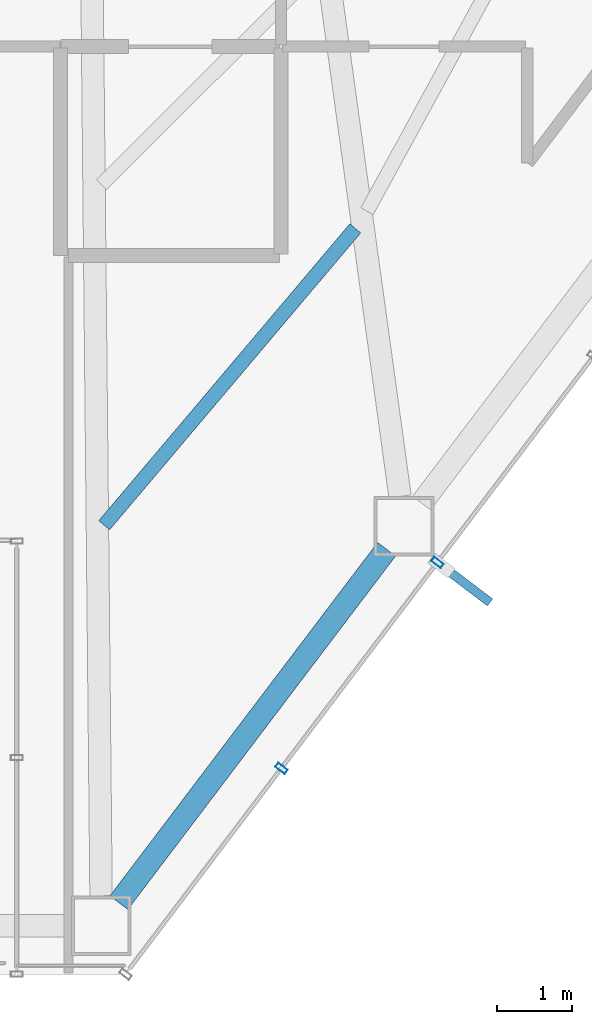
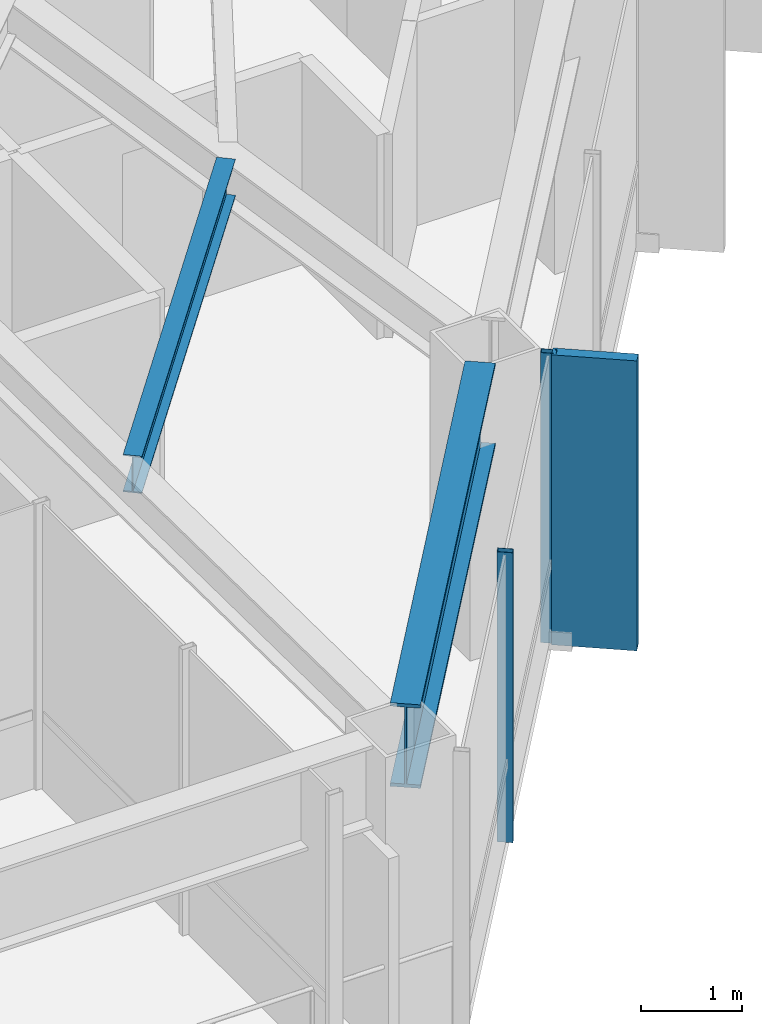
# One storey, part 16 of 28: 3 members, 2 beams, 1 element without a shape of its own.
"""IFC4 building model written with IfcOpenShell, lengths in metres."""

from ifc_helpers import new_model, si_unit, direction, frame, origin, origin_2d, place, context, subcontext, project, spatial, rectangle, hollow_rectangle, i_section, extrude, material, layer, layer_set, material_profile, profile_set, type_object, element, aggregate, save


model = new_model("IFC4")

# Units and contexts
model_context = context("Model", 3, precision=1e-05, world=origin(), true_north=direction((0.0, 1.0)))
body_context = subcontext(model_context, "Body", "Model", "MODEL_VIEW")
ifc_project = project(units=[si_unit("LENGTHUNIT", "METRE"), si_unit("AREAUNIT", "SQUARE_METRE"), si_unit("VOLUMEUNIT", "CUBIC_METRE"), si_unit("PLANEANGLEUNIT", "RADIAN"), si_unit("MASSUNIT", "GRAM", prefix="KILO")], contexts=[model_context])

# Site, building, storey
site_placement = place(None, origin())
site = spatial("IfcSite", under=ifc_project, at=site_placement, CompositionType="ELEMENT")
building_placement = place(site_placement, origin())
building = spatial("IfcBuilding", under=site, at=building_placement, Name="Zarrinselat Tower", CompositionType="ELEMENT")
storey_placement = place(building_placement, frame((0.0, 0.0, 157.080078125)))
storey = spatial("IfcBuildingStorey", under=building, at=storey_placement, Name="L38", CompositionType="ELEMENT", Elevation=157.080078125)

# Beams
ifc_material_1 = material(Name="Steel S460M", Category="steel")
ifc_material_profile_1 = material_profile(ifc_material_1, i_section(OverallWidth=0.302001953125, OverallDepth=1.008056640625, WebThickness=0.02099609375, FlangeThickness=0.0400390625, at=origin_2d()), Name="HEM 1000")
ifc_profile_set_1 = profile_set([ifc_material_profile_1], Name="Steel S460M")
beam_type_1 = type_object("IfcBeamType", Name="BM-HEM1000", PredefinedType="BEAM", material=ifc_profile_set_1)
beam_1_placement = place(storey_placement, frame((46.179931640625, 18.6826171875, 2.995849609375), z_axis=(0.603840277942, 0.79710533729, 0.0), x_axis=(-0.79710533729, 0.603840277942, 0.0)))
element("IfcBeam", 1, at=beam_1_placement, inside=storey, type_object=beam_type_1, Name="L38 Perimeter Spandrel Girder SP11", PredefinedType="BEAM", context=body_context, shape_type="SweptSolid", body=[
    extrude(i_section(OverallWidth=0.302001953125, OverallDepth=1.008056640625, WebThickness=0.02099609375, FlangeThickness=0.0400390625, at=origin_2d()), origin(), (0.0, 0.0, 1.0), 5.939697265625),
])
ifc_material_2 = material(Name="Steel S355J2", Category="steel")
ifc_material_profile_2 = material_profile(ifc_material_2, i_section(OverallWidth=0.18994140625, OverallDepth=0.449951171875, WebThickness=0.009521484375, FlangeThickness=0.0146484375, at=origin_2d()), Name="IPE 450")
ifc_profile_set_2 = profile_set([ifc_material_profile_2], Name="Steel S355J2")
beam_type_2 = type_object("IfcBeamType", Name="BM-IPE450", PredefinedType="JOIST", material=ifc_profile_set_2)
beam_2_placement = place(storey_placement, frame((45.98388671875, 23.739013671875, 3.27490234375), z_axis=(0.645797229985, 0.763508963761, 0.0), x_axis=(-0.763508963761, 0.645797229985, 0.0)))
element("IfcBeam", 2, at=beam_2_placement, inside=storey, type_object=beam_type_2, Name="L38 Composite Floor Joist 2-1", PredefinedType="JOIST", context=body_context, shape_type="SweptSolid", body=[
    extrude(i_section(OverallWidth=0.18994140625, OverallDepth=0.449951171875, WebThickness=0.009521484375, FlangeThickness=0.0146484375, at=origin_2d()), origin(), (0.0, 0.0, 1.0), 5.2080078125),
])

# Curtain wall, members
ifc_material_3 = material(Name="Extruded Aluminium Alloy EN AW-6063 T6", Category="aluminium")
ifc_layer = layer(ifc_material_3, 0.175048828125)
ifc_layer_set = layer_set([ifc_layer], Name="Extruded Aluminium Alloy EN AW-6063 T6")
curtain_wall_type = type_object("IfcCurtainWallType", Name="CWS-HTL", PredefinedType="NOTDEFINED", material=ifc_layer_set)
curtain_wall_placement = place(storey_placement, origin())
curtain_wall = element("IfcCurtainWall", 3, at=curtain_wall_placement, inside=storey, type_object=curtain_wall_type, Name="L38 Unitised Curtain Wall CW-L38-E05", PredefinedType="NOTDEFINED")
ifc_material_4 = material(Name="Extruded Aluminium Alloy EN AW-6063 T6", Category="aluminium")
ifc_material_profile_3 = material_profile(ifc_material_4, hollow_rectangle(XDim=0.070068359375, YDim=0.159912109375, WallThickness=0.00390625, at=origin_2d()), Name="RHS 160x70x4")
ifc_profile_set_3 = profile_set([ifc_material_profile_3], Name="Extruded Aluminium Alloy EN AW-6063 T6")
member_type_1 = type_object("IfcMemberType", Name="MEM-CW-MUL2", PredefinedType="MULLION", material=ifc_profile_set_3)
member_1_placement = place(storey_placement, frame((50.447265625, 23.239013671875, 0.0), z_axis=(0.0, 0.0, 1.0), x_axis=(-0.603858522722, -0.797091515785, 0.0)))
member_1 = element("IfcMember", 4, at=member_1_placement, type_object=member_type_1, Name="CW-L38-E05 Mullion 7", PredefinedType="MULLION", context=body_context, shape_type="SweptSolid", body=[
    extrude(hollow_rectangle(XDim=0.070068359375, YDim=0.159912109375, WallThickness=0.00390625, at=origin_2d()), origin(), (0.0, 0.0, 1.0), 3.5),
])
member_2_placement = place(storey_placement, frame((48.35791015625, 20.481201171875, 0.0), z_axis=(0.0, 0.0, 1.0), x_axis=(-0.603858522722, -0.797091515785, 0.0)))
member_2 = element("IfcMember", 5, at=member_2_placement, type_object=member_type_1, Name="CW-L38-E05 Mullion 8", PredefinedType="MULLION", context=body_context, shape_type="SweptSolid", body=[
    extrude(hollow_rectangle(XDim=0.070068359375, YDim=0.159912109375, WallThickness=0.00390625, at=origin_2d()), origin(), (0.0, 0.0, 1.0), 3.5),
])
ifc_material_5 = material(Name="Honed Cream Travertine Stone", Category="masonry")
ifc_material_profile_4 = material_profile(ifc_material_5, rectangle(XDim=0.1201171875, YDim=0.85009765625, at=origin_2d()), Name="FIN 850x120")
ifc_profile_set_4 = profile_set([ifc_material_profile_4], Name="Honed Cream Travertine Stone")
member_type_2 = type_object("IfcMemberType", Name="MEM-STONE-FIN", PredefinedType="USERDEFINED", material=ifc_profile_set_4)
member_3_placement = place(storey_placement, frame((50.81396484375, 22.961181640625, 0.0), z_axis=(0.0, 0.0, 1.0), x_axis=(-0.603858522722, -0.797091515785, 0.0)))
member_3 = element("IfcMember", 6, at=member_3_placement, type_object=member_type_2, Name="L38 Stone Shading Fin CW-L38-E05-07", ObjectType="FIN", PredefinedType="USERDEFINED", context=body_context, shape_type="SweptSolid", body=[
    extrude(rectangle(XDim=0.1201171875, YDim=0.85009765625, at=origin_2d()), origin(), (0.0, 0.0, 1.0), 3.5),
])
aggregate(curtain_wall, [member_1, member_3, member_2])

save(model, "model.ifc")
